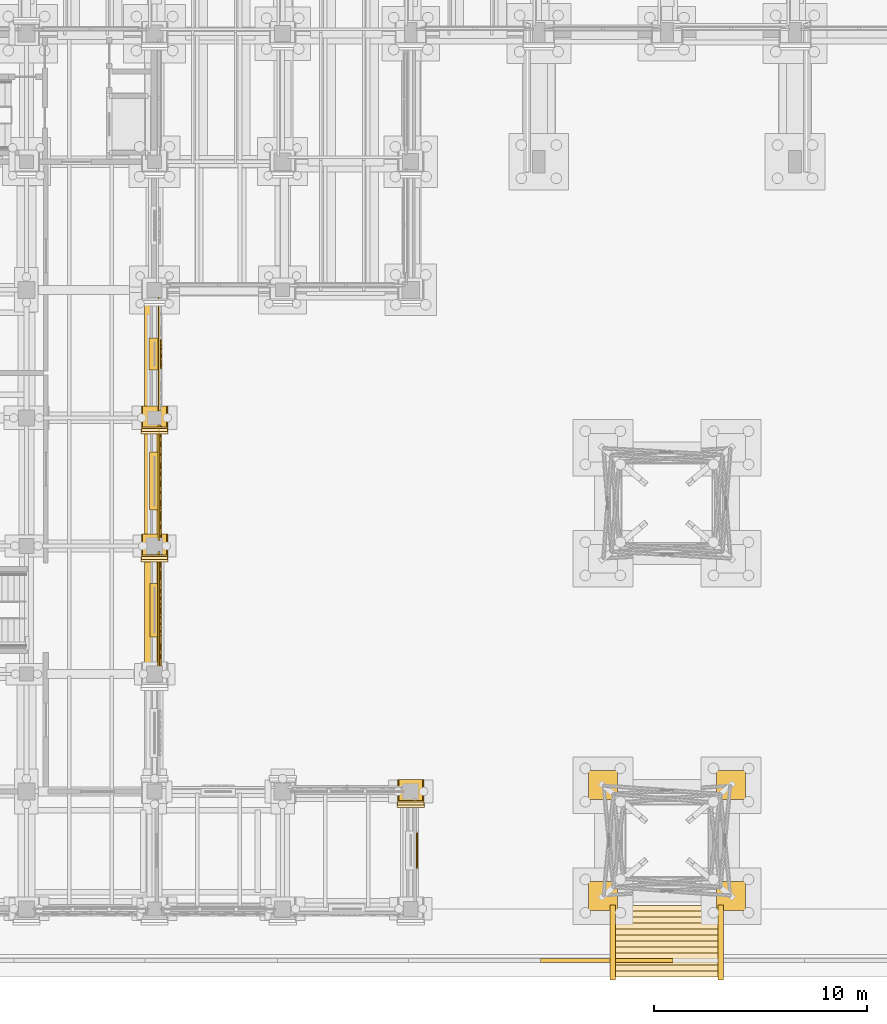
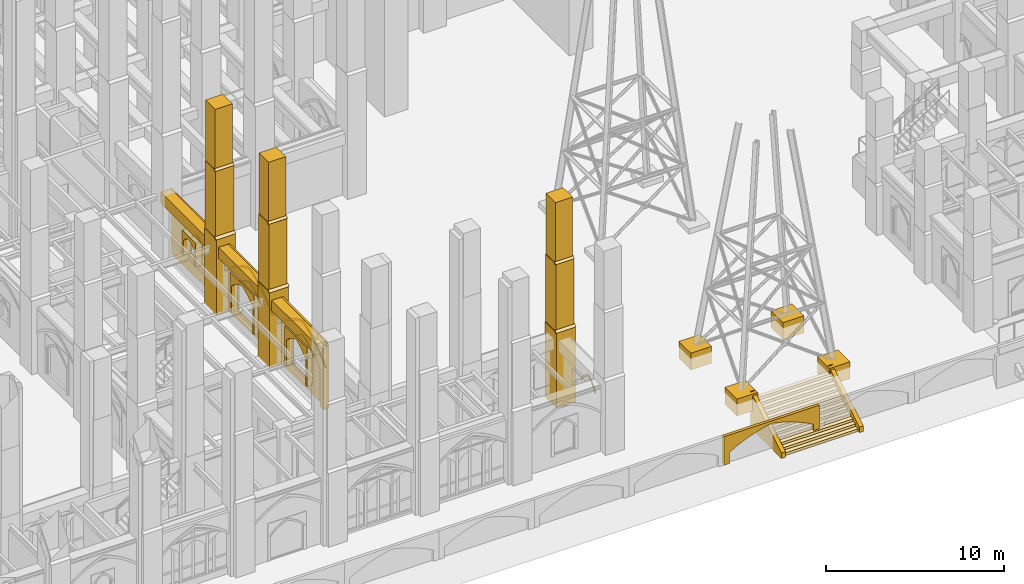
# One storey, part 101 of 135: 43 coverings.
"""IFC4 building model written with IfcOpenShell, lengths in metres."""

from ifc_helpers import new_model, si_unit, direction, frame, origin, origin_2d, place, context, subcontext, project, spatial, polyline, rectangle, outline, extrude, material, type_object, element, save


model = new_model("IFC4")

# Units and contexts
model_context = context("Model", 3, precision=1e-05, world=origin(), true_north=direction((0.0, 1.0)))
body_context = subcontext(model_context, "Body", "Model", "MODEL_VIEW")
ifc_project = project(units=[si_unit("LENGTHUNIT", "METRE"), si_unit("AREAUNIT", "SQUARE_METRE"), si_unit("VOLUMEUNIT", "CUBIC_METRE"), si_unit("PLANEANGLEUNIT", "RADIAN"), si_unit("MASSUNIT", "GRAM", prefix="KILO")], contexts=[model_context])

# Site, building, storey
site_placement = place(None, origin())
site = spatial("IfcSite", under=ifc_project, at=site_placement, CompositionType="ELEMENT")
building_placement = place(site_placement, origin())
building = spatial("IfcBuilding", under=site, at=building_placement, Name="Cumevento Cable Car Station", CompositionType="ELEMENT")
storey_placement = place(building_placement, origin())
storey = spatial("IfcBuildingStorey", under=building, at=storey_placement, Name="L01", CompositionType="ELEMENT", Elevation=0.0)

# Coverings
ifc_material = material(Name="Gnaisse Facoidal Stone Ashlar 85 MPa", Category="masonry")
covering_type = type_object("IfcCoveringType", Name="Gnaisse Ashlar Cladding CV-CL01", PredefinedType="CLADDING", material=ifc_material)
for number, where, z_axis, x_axis, name in (
    (1, (91.0, 4.60009765625, -0.7998046875), (0.0, 0.0, 1.0), (1.0, 0.0, 0.0), "Ropeway Pylon Stone Anchor Pedestal #1"),
    (2, (91.0, 9.800048828125, -0.7998046875), (0.0, 0.0, 1.0), (1.0, 0.0, 0.0), "Ropeway Pylon Stone Anchor Pedestal #2"),
    (3, (97.0, 4.60009765625, -0.7998046875), (0.0, 0.0, 1.0), (1.0, 0.0, 0.0), "Ropeway Pylon Stone Anchor Pedestal #5"),
    (4, (97.0, 9.800048828125, -0.7998046875), (0.0, 0.0, 1.0), (1.0, 0.0, 0.0), "Ropeway Pylon Stone Anchor Pedestal #6"),
):
    element("IfcCovering", number, at=place(storey_placement, frame(where, z_axis=z_axis, x_axis=x_axis)), inside=storey, type_object=covering_type, Name=name, PredefinedType="CLADDING", context=body_context, shape_type="SweptSolid", body=[
        extrude(rectangle(XDim=1.35009765625, YDim=1.35009765625, at=origin_2d()), origin(), (0.0, 0.0, 1.0), 1.159912109375),
    ])
covering_1_placement = place(storey_placement, frame((70.0, 20.909912109375, -0.06005859375), z_axis=(0.0, 0.0, 1.0), x_axis=(1.0, 0.0, 0.0)))
element("IfcCovering", 5, at=covering_1_placement, inside=storey, type_object=covering_type, Name="Stepped Gothic Stone Buttress Tier 1 bt:70.0:21.0", PredefinedType="CLADDING", context=body_context, shape_type="SweptSolid", body=[
    extrude(rectangle(XDim=1.239990234375, YDim=1.300048828125, at=origin_2d()), origin(), (0.0, 0.0, 1.0), 5.175537109375),
])
covering_2_placement = place(storey_placement, frame((69.360107421875, 20.239990234375, 5.095703125), z_axis=(0.0, -0.711135781079, 0.703054692658), x_axis=(1.0, 0.0, 0.0)))
element("IfcCovering", 6, at=covering_2_placement, inside=storey, type_object=covering_type, Name="Gothic Buttress Sloped Stone Weathering 1 bt:70.0:21.0", PredefinedType="CLADDING", context=body_context, shape_type="SweptSolid", body=[
    extrude(outline(polyline([(0.0, 0.0), (1.27978515625, 0.0), (1.27978515625, 0.24169083397703695), (0.0, 0.24169083397703695), (0.0, 0.0)])), origin(), (0.0, 0.0, -1.0), 0.090087890625),
])
covering_3_placement = place(storey_placement, frame((70.0, 20.969970703125, 4.84326171875), z_axis=(0.0, 0.0, 1.0), x_axis=(1.0, 0.0, 0.0)))
element("IfcCovering", 7, at=covering_3_placement, inside=storey, type_object=covering_type, Name="Stepped Gothic Stone Buttress Tier 2 bt:70.0:21.0", PredefinedType="CLADDING", context=body_context, shape_type="SweptSolid", body=[
    extrude(rectangle(XDim=1.179931640625, YDim=1.179931640625, at=origin_2d()), origin(), (0.0, 0.0, 1.0), 4.9033203125),
])
covering_4_placement = place(storey_placement, frame((69.389892578125, 20.360107421875, 9.726318359375), z_axis=(0.0, -0.714474823669, 0.699661151089), x_axis=(1.0, 0.0, 0.0)))
element("IfcCovering", 8, at=covering_4_placement, inside=storey, type_object=covering_type, Name="Gothic Buttress Sloped Stone Weathering 2 bt:70.0:21.0", PredefinedType="CLADDING", context=body_context, shape_type="SweptSolid", body=[
    extrude(outline(polyline([(0.0, 0.0), (1.22021484375, 0.0), (1.22021484375, 0.21424991728737655), (0.0, 0.21424991728737655), (0.0, 0.0)])), origin(), (0.0, 0.0, -1.0), 0.090087890625),
])
covering_5_placement = place(storey_placement, frame((70.0, 21.02001953125, 9.47412109375), z_axis=(0.0, 0.0, 1.0), x_axis=(1.0, 0.0, 0.0)))
element("IfcCovering", 9, at=covering_5_placement, inside=storey, type_object=covering_type, Name="Stepped Gothic Stone Buttress Tier 3 bt:70.0:21.0", PredefinedType="CLADDING", context=body_context, shape_type="SweptSolid", body=[
    extrude(rectangle(XDim=1.1201171875, YDim=1.080078125, at=origin_2d()), origin(), (0.0, 0.0, 1.0), 4.426025390625),
])
covering_6_placement = place(storey_placement, frame((70.0, 26.909912109375, -0.06005859375), z_axis=(0.0, 0.0, 1.0), x_axis=(1.0, 0.0, 0.0)))
element("IfcCovering", 10, at=covering_6_placement, inside=storey, type_object=covering_type, Name="Stepped Gothic Stone Buttress Tier 1 bt:70.0:27.0", PredefinedType="CLADDING", context=body_context, shape_type="SweptSolid", body=[
    extrude(rectangle(XDim=1.239990234375, YDim=1.300048828125, at=origin_2d()), origin(), (0.0, 0.0, 1.0), 5.175537109375),
])
covering_7_placement = place(storey_placement, frame((69.360107421875, 26.239990234375, 5.095703125), z_axis=(0.0, -0.711135781079, 0.703054692658), x_axis=(1.0, 0.0, 0.0)))
element("IfcCovering", 11, at=covering_7_placement, inside=storey, type_object=covering_type, Name="Gothic Buttress Sloped Stone Weathering 1 bt:70.0:27.0", PredefinedType="CLADDING", context=body_context, shape_type="SweptSolid", body=[
    extrude(outline(polyline([(0.0, 0.0), (1.27978515625, 0.0), (1.27978515625, 0.24169083397703695), (0.0, 0.24169083397703695), (0.0, 0.0)])), origin(), (0.0, 0.0, -1.0), 0.090087890625),
])
covering_8_placement = place(storey_placement, frame((70.0, 26.969970703125, 4.84326171875), z_axis=(0.0, 0.0, 1.0), x_axis=(1.0, 0.0, 0.0)))
element("IfcCovering", 12, at=covering_8_placement, inside=storey, type_object=covering_type, Name="Stepped Gothic Stone Buttress Tier 2 bt:70.0:27.0", PredefinedType="CLADDING", context=body_context, shape_type="SweptSolid", body=[
    extrude(rectangle(XDim=1.179931640625, YDim=1.179931640625, at=origin_2d()), origin(), (0.0, 0.0, 1.0), 4.9033203125),
])
covering_9_placement = place(storey_placement, frame((69.389892578125, 26.360107421875, 9.726318359375), z_axis=(0.0, -0.714474823669, 0.699661151089), x_axis=(1.0, 0.0, 0.0)))
element("IfcCovering", 13, at=covering_9_placement, inside=storey, type_object=covering_type, Name="Gothic Buttress Sloped Stone Weathering 2 bt:70.0:27.0", PredefinedType="CLADDING", context=body_context, shape_type="SweptSolid", body=[
    extrude(outline(polyline([(0.0, 0.0), (1.22021484375, 0.0), (1.22021484375, 0.21424991728737655), (0.0, 0.21424991728737655), (0.0, 0.0)])), origin(), (0.0, 0.0, -1.0), 0.090087890625),
])
covering_10_placement = place(storey_placement, frame((70.0, 27.02001953125, 9.47412109375), z_axis=(0.0, 0.0, 1.0), x_axis=(1.0, 0.0, 0.0)))
element("IfcCovering", 14, at=covering_10_placement, inside=storey, type_object=covering_type, Name="Stepped Gothic Stone Buttress Tier 3 bt:70.0:27.0", PredefinedType="CLADDING", context=body_context, shape_type="SweptSolid", body=[
    extrude(rectangle(XDim=1.1201171875, YDim=1.080078125, at=origin_2d()), origin(), (0.0, 0.0, 1.0), 4.426025390625),
])
covering_11_placement = place(storey_placement, frame((82.0, 9.409912109375, -0.06005859375), z_axis=(0.0, 0.0, 1.0), x_axis=(1.0, 0.0, 0.0)))
element("IfcCovering", 15, at=covering_11_placement, inside=storey, type_object=covering_type, Name="Stepped Gothic Stone Buttress Tier 1 bt:82.0:9.5", PredefinedType="CLADDING", context=body_context, shape_type="SweptSolid", body=[
    extrude(rectangle(XDim=1.239990234375, YDim=1.300048828125, at=origin_2d()), origin(), (0.0, 0.0, 1.0), 5.175537109375),
])
covering_12_placement = place(storey_placement, frame((81.360107421875, 8.739990234375, 5.095703125), z_axis=(0.0, -0.711135781079, 0.703054692658), x_axis=(1.0, 0.0, 0.0)))
element("IfcCovering", 16, at=covering_12_placement, inside=storey, type_object=covering_type, Name="Gothic Buttress Sloped Stone Weathering 1 bt:82.0:9.5", PredefinedType="CLADDING", context=body_context, shape_type="SweptSolid", body=[
    extrude(outline(polyline([(0.0, 0.0), (1.27978515625, 0.0), (1.27978515625, 0.24169083397703695), (0.0, 0.24169083397703695), (0.0, 0.0)])), origin(), (0.0, 0.0, -1.0), 0.090087890625),
])
covering_13_placement = place(storey_placement, frame((82.0, 9.469970703125, 4.84326171875), z_axis=(0.0, 0.0, 1.0), x_axis=(1.0, 0.0, 0.0)))
element("IfcCovering", 17, at=covering_13_placement, inside=storey, type_object=covering_type, Name="Stepped Gothic Stone Buttress Tier 2 bt:82.0:9.5", PredefinedType="CLADDING", context=body_context, shape_type="SweptSolid", body=[
    extrude(rectangle(XDim=1.179931640625, YDim=1.179931640625, at=origin_2d()), origin(), (0.0, 0.0, 1.0), 4.9033203125),
])
covering_14_placement = place(storey_placement, frame((81.389892578125, 8.860107421875, 9.726318359375), z_axis=(0.0, -0.714474823669, 0.699661151089), x_axis=(1.0, 0.0, 0.0)))
element("IfcCovering", 18, at=covering_14_placement, inside=storey, type_object=covering_type, Name="Gothic Buttress Sloped Stone Weathering 2 bt:82.0:9.5", PredefinedType="CLADDING", context=body_context, shape_type="SweptSolid", body=[
    extrude(outline(polyline([(0.0, 0.0), (1.22021484375, 0.0), (1.22021484375, 0.21424991728737655), (0.0, 0.21424991728737655), (0.0, 0.0)])), origin(), (0.0, 0.0, -1.0), 0.090087890625),
])
covering_15_placement = place(storey_placement, frame((82.0, 9.52001953125, 9.47412109375), z_axis=(0.0, 0.0, 1.0), x_axis=(1.0, 0.0, 0.0)))
element("IfcCovering", 19, at=covering_15_placement, inside=storey, type_object=covering_type, Name="Stepped Gothic Stone Buttress Tier 3 bt:82.0:9.5", PredefinedType="CLADDING", context=body_context, shape_type="SweptSolid", body=[
    extrude(rectangle(XDim=1.1201171875, YDim=1.080078125, at=origin_2d()), origin(), (0.0, 0.0, 1.0), 4.426025390625),
])
covering_16_placement = place(storey_placement, frame((69.85009765625, 17.987548828125, 3.784912109375), z_axis=(0.0, 0.0, 1.0), x_axis=(0.0, -1.0, 0.0)))
element("IfcCovering", 20, at=covering_16_placement, inside=storey, type_object=covering_type, Name="Gothic Stone Spandrel Stringcourse sc:0036", PredefinedType="CLADDING", context=body_context, shape_type="SweptSolid", body=[
    extrude(rectangle(XDim=5.465087890625, YDim=0.659912109375, at=origin_2d()), origin(), (0.0, 0.0, 1.0), 0.7470703125),
])
covering_17_placement = place(storey_placement, frame((70.20751953125, 17.987548828125, 4.402099609375), z_axis=(0.0, 0.0, 1.0), x_axis=(0.0, -1.0, 0.0)))
element("IfcCovering", 21, at=covering_17_placement, inside=storey, type_object=covering_type, Name="Gothic Cornice Dripstone Lip sc:0036", PredefinedType="CLADDING", context=body_context, shape_type="SweptSolid", body=[
    extrude(rectangle(XDim=5.5048828125, YDim=0.114990234375, at=origin_2d()), origin(), (0.0, 0.0, 1.0), 0.1298828125),
])
covering_18_placement = place(storey_placement, frame((69.85009765625, 24.03759765625, 3.784912109375), z_axis=(0.0, 0.0, 1.0), x_axis=(0.0, -1.0, 0.0)))
element("IfcCovering", 22, at=covering_18_placement, inside=storey, type_object=covering_type, Name="Gothic Stone Spandrel Stringcourse sc:0037", PredefinedType="CLADDING", context=body_context, shape_type="SweptSolid", body=[
    extrude(rectangle(XDim=5.514892578125, YDim=0.659912109375, at=origin_2d()), origin(), (0.0, 0.0, 1.0), 0.7470703125),
])
covering_19_placement = place(storey_placement, frame((70.20751953125, 24.03759765625, 4.402099609375), z_axis=(0.0, 0.0, 1.0), x_axis=(0.0, -1.0, 0.0)))
element("IfcCovering", 23, at=covering_19_placement, inside=storey, type_object=covering_type, Name="Gothic Cornice Dripstone Lip sc:0037", PredefinedType="CLADDING", context=body_context, shape_type="SweptSolid", body=[
    extrude(rectangle(XDim=5.554931640625, YDim=0.114990234375, at=origin_2d()), origin(), (0.0, 0.0, 1.0), 0.1298828125),
])
covering_20_placement = place(storey_placement, frame((69.85009765625, 29.987548828125, 3.64306640625), z_axis=(0.0, 0.0, 1.0), x_axis=(0.0, -1.0, 0.0)))
element("IfcCovering", 24, at=covering_20_placement, inside=storey, type_object=covering_type, Name="Gothic Stone Spandrel Stringcourse sc:0038", PredefinedType="CLADDING", context=body_context, shape_type="SweptSolid", body=[
    extrude(rectangle(XDim=5.56494140625, YDim=0.659912109375, at=origin_2d()), origin(), (0.0, 0.0, 1.0), 0.7470703125),
])
covering_21_placement = place(storey_placement, frame((70.20751953125, 29.987548828125, 4.260009765625), z_axis=(0.0, 0.0, 1.0), x_axis=(0.0, -1.0, 0.0)))
element("IfcCovering", 25, at=covering_21_placement, inside=storey, type_object=covering_type, Name="Gothic Cornice Dripstone Lip sc:0038", PredefinedType="CLADDING", context=body_context, shape_type="SweptSolid", body=[
    extrude(rectangle(XDim=5.60498046875, YDim=0.114990234375, at=origin_2d()), origin(), (0.0, 0.0, 1.0), 0.1298828125),
])
covering_22_placement = place(storey_placement, frame((82.0, 7.6025390625, 2.3701171875), z_axis=(0.0, 0.0, 1.0), x_axis=(0.0, -1.0, 0.0)))
element("IfcCovering", 26, at=covering_22_placement, inside=storey, type_object=covering_type, Name="Gothic Pointed Archivolt Hood Moulding op_ogival:0121:1", PredefinedType="CLADDING", context=body_context, shape_type="SweptSolid", body=[
    extrude(outline(polyline([(0.139892578125, 0.0), (0.212646484375, 0.1240234375), (0.29736328125, 0.240234375), (0.392822265625, 0.34765625), (0.49853515625, 0.4453125), (0.613037109375, 0.531982421875), (0.735595703125, 0.607177734375), (0.864990234375, 0.669921875), (0.994384765625, 0.607177734375), (1.116943359375, 0.531982421875), (1.2314453125, 0.4453125), (1.337158203125, 0.34765625), (1.4326171875, 0.240234375), (1.517333984375, 0.1240234375), (1.590087890625, 0.0), (1.68896484375, 0.0), (1.608642578125, 0.146240234375), (1.51416015625, 0.28369140625), (1.40625, 0.410888671875), (1.2861328125, 0.526611328125), (1.155029296875, 0.629638671875), (1.01416015625, 0.718994140625), (0.864990234375, 0.793701171875), (0.7158203125, 0.718994140625), (0.574951171875, 0.629638671875), (0.44384765625, 0.526611328125), (0.32373046875, 0.410888671875), (0.2158203125, 0.28369140625), (0.121337890625, 0.146240234375), (0.041015625, 0.0), (0.139892578125, 0.0)])), frame((0.0, 0.324951171875, 0.0), z_axis=(0.0, -1.0, 0.0), x_axis=(1.0, 0.0, 0.0)), (0.0, 0.0, 1.0), 0.06689453125),
])
covering_23_placement = place(storey_placement, frame((70.0, 20.60009765625, 0.0), z_axis=(0.0, 0.0, 1.0), x_axis=(0.0, -1.0, 0.0)))
element("IfcCovering", 27, at=covering_23_placement, inside=storey, type_object=covering_type, Name="Exterior Gnaisse Stone Wall Ashlar #129", PredefinedType="CLADDING", context=body_context, shape_type="SweptSolid", body=[
    extrude(outline(polyline([(-0.0400390625, -0.02001953125), (5.264892578125, -0.02001953125), (5.264892578125, 3.864990234375), (-0.0400390625, 3.864990234375), (-0.0400390625, -0.02001953125)]), holes=[polyline([(1.547607421875, 0.7099609375), (3.677490234375, 0.7099609375), (3.677490234375, 3.090087890625), (1.547607421875, 3.090087890625), (1.547607421875, 0.7099609375)])]), frame((0.0, 0.22998046875, 0.0), z_axis=(0.0, -1.0, 0.0), x_axis=(1.0, 0.0, 0.0)), (0.0, 0.0, 1.0), 0.0849609375),
])
covering_24_placement = place(storey_placement, frame((70.0, 19.202392578125, 0.64990234375), z_axis=(0.0, 0.0, 1.0), x_axis=(0.0, -1.0, 0.0)))
element("IfcCovering", 28, at=covering_24_placement, inside=storey, type_object=covering_type, Name="Gothic Ogival Pointed-Arch Stone Spandrel op_ogival:0129:1", PredefinedType="CLADDING", context=body_context, shape_type="SweptSolid", body=[
    extrude(outline(polyline([(-0.0400390625, 0.0), (-0.0400390625, 2.669921875), (2.469970703125, 2.669921875), (2.469970703125, 0.0), (2.2900390625, 0.0), (2.2900390625, 1.778076171875), (2.162109375, 1.913818359375), (2.0244140625, 2.039306640625), (1.87744140625, 2.15380859375), (1.721923828125, 2.2568359375), (1.55908203125, 2.347412109375), (1.3896484375, 2.42529296875), (1.215087890625, 2.489990234375), (1.040283203125, 2.42529296875), (0.870849609375, 2.347412109375), (0.7080078125, 2.2568359375), (0.552490234375, 2.15380859375), (0.405517578125, 2.039306640625), (0.267822265625, 1.913818359375), (0.139892578125, 1.778076171875), (0.139892578125, 0.0), (-0.0400390625, 0.0)])), frame((0.0, 0.26806640625, 0.0), z_axis=(0.0, -1.0, 0.0), x_axis=(1.0, 0.0, 0.0)), (0.0, 0.0, 1.0), 0.489990234375),
])
covering_25_placement = place(storey_placement, frame((70.0, 19.202392578125, 2.427978515625), z_axis=(0.0, 0.0, 1.0), x_axis=(0.0, -1.0, 0.0)))
element("IfcCovering", 29, at=covering_25_placement, inside=storey, type_object=covering_type, Name="Gothic Pointed Archivolt Hood Moulding op_ogival:0129:1", PredefinedType="CLADDING", context=body_context, shape_type="SweptSolid", body=[
    extrude(outline(polyline([(0.139892578125, 0.0), (0.267822265625, 0.1357421875), (0.405517578125, 0.26123046875), (0.552490234375, 0.375732421875), (0.7080078125, 0.478759765625), (0.870849609375, 0.5693359375), (1.040283203125, 0.647216796875), (1.215087890625, 0.7119140625), (1.3896484375, 0.647216796875), (1.55908203125, 0.5693359375), (1.721923828125, 0.478759765625), (1.87744140625, 0.375732421875), (2.0244140625, 0.26123046875), (2.162109375, 0.1357421875), (2.2900390625, 0.0), (2.388916015625, 0.0), (2.253173828125, 0.158447265625), (2.105224609375, 0.305419921875), (1.945556640625, 0.439697265625), (1.775634765625, 0.560791015625), (1.596435546875, 0.66748046875), (1.4091796875, 0.75927734375), (1.215087890625, 0.835693359375), (1.020751953125, 0.75927734375), (0.83349609375, 0.66748046875), (0.654296875, 0.560791015625), (0.484375, 0.439697265625), (0.32470703125, 0.305419921875), (0.1767578125, 0.158447265625), (0.041015625, 0.0), (0.139892578125, 0.0)])), frame((0.0, 0.31005859375, 0.0), z_axis=(0.0, -1.0, 0.0), x_axis=(1.0, 0.0, 0.0)), (0.0, 0.0, 1.0), 0.06689453125),
])
covering_26_placement = place(storey_placement, frame((70.0, 26.675048828125, 0.0), z_axis=(0.0, 0.0, 1.0), x_axis=(0.0, -1.0, 0.0)))
element("IfcCovering", 30, at=covering_26_placement, inside=storey, type_object=covering_type, Name="Exterior Gnaisse Stone Wall Ashlar #131", PredefinedType="CLADDING", context=body_context, shape_type="SweptSolid", body=[
    extrude(outline(polyline([(-0.0400390625, -0.02001953125), (5.31494140625, -0.02001953125), (5.31494140625, 3.864990234375), (-0.0400390625, 3.864990234375), (-0.0400390625, -0.02001953125)]), holes=[polyline([(1.472412109375, 0.659912109375), (3.802490234375, 0.659912109375), (3.802490234375, 3.090087890625), (1.472412109375, 3.090087890625), (1.472412109375, 0.659912109375)])]), frame((0.0, 0.2451171875, 0.0), z_axis=(0.0, -1.0, 0.0), x_axis=(1.0, 0.0, 0.0)), (0.0, 0.0, 1.0), 0.0849609375),
])
covering_27_placement = place(storey_placement, frame((70.0, 25.3525390625, 0.60009765625), z_axis=(0.0, 0.0, 1.0), x_axis=(0.0, -1.0, 0.0)))
element("IfcCovering", 31, at=covering_27_placement, inside=storey, type_object=covering_type, Name="Gothic Ogival Pointed-Arch Stone Spandrel op_ogival:0131:1", PredefinedType="CLADDING", context=body_context, shape_type="SweptSolid", body=[
    extrude(outline(polyline([(-0.0400390625, 0.0), (-0.0400390625, 2.719970703125), (2.669921875, 2.719970703125), (2.669921875, 0.0), (2.489990234375, 0.0), (2.489990234375, 1.820068359375), (2.3466796875, 1.9580078125), (2.193603515625, 2.08544921875), (2.031982421875, 2.201171875), (1.8623046875, 2.30517578125), (1.685791015625, 2.396728515625), (1.5029296875, 2.47509765625), (1.31494140625, 2.5400390625), (1.126953125, 2.47509765625), (0.944091796875, 2.396728515625), (0.767578125, 2.30517578125), (0.597900390625, 2.201171875), (0.436279296875, 2.08544921875), (0.283203125, 1.9580078125), (0.139892578125, 1.820068359375), (0.139892578125, 0.0), (-0.0400390625, 0.0)])), frame((0.0, 0.282958984375, 0.0), z_axis=(0.0, -1.0, 0.0), x_axis=(1.0, 0.0, 0.0)), (0.0, 0.0, 1.0), 0.52001953125),
])
covering_28_placement = place(storey_placement, frame((70.0, 25.3525390625, 2.419921875), z_axis=(0.0, 0.0, 1.0), x_axis=(0.0, -1.0, 0.0)))
element("IfcCovering", 32, at=covering_28_placement, inside=storey, type_object=covering_type, Name="Gothic Pointed Archivolt Hood Moulding op_ogival:0131:1", PredefinedType="CLADDING", context=body_context, shape_type="SweptSolid", body=[
    extrude(outline(polyline([(0.139892578125, 0.0), (0.283203125, 0.137939453125), (0.436279296875, 0.265380859375), (0.597900390625, 0.381103515625), (0.767578125, 0.485107421875), (0.944091796875, 0.57666015625), (1.126953125, 0.655029296875), (1.31494140625, 0.719970703125), (1.5029296875, 0.655029296875), (1.685791015625, 0.57666015625), (1.8623046875, 0.485107421875), (2.031982421875, 0.381103515625), (2.193603515625, 0.265380859375), (2.3466796875, 0.137939453125), (2.489990234375, 0.0), (2.589111328125, 0.0), (2.4375, 0.160888671875), (2.274169921875, 0.3095703125), (2.099853515625, 0.4453125), (1.915771484375, 0.5673828125), (1.72265625, 0.6748046875), (1.52197265625, 0.76708984375), (1.31494140625, 0.84375), (1.10791015625, 0.76708984375), (0.9072265625, 0.6748046875), (0.714111328125, 0.5673828125), (0.530029296875, 0.4453125), (0.355712890625, 0.3095703125), (0.1923828125, 0.160888671875), (0.041015625, 0.0), (0.139892578125, 0.0)])), frame((0.0, 0.324951171875, 0.0), z_axis=(0.0, -1.0, 0.0), x_axis=(1.0, 0.0, 0.0)), (0.0, 0.0, 1.0), 0.06689453125),
])
covering_29_placement = place(storey_placement, frame((70.0, 32.64990234375, 0.0), z_axis=(0.0, 0.0, 1.0), x_axis=(0.0, -1.0, 0.0)))
element("IfcCovering", 33, at=covering_29_placement, inside=storey, type_object=covering_type, Name="Exterior Gnaisse Stone Wall Ashlar #133", PredefinedType="CLADDING", context=body_context, shape_type="SweptSolid", body=[
    extrude(outline(polyline([(-0.0400390625, -0.02001953125), (5.364990234375, -0.02001953125), (5.364990234375, 3.722900390625), (-0.0400390625, 3.722900390625), (-0.0400390625, -0.02001953125)]), holes=[polyline([(2.097412109375, 1.360107421875), (3.2275390625, 1.360107421875), (3.2275390625, 2.68994140625), (2.097412109375, 2.68994140625), (2.097412109375, 1.360107421875)])]), frame((0.0, 0.260009765625, 0.0), z_axis=(0.0, -1.0, 0.0), x_axis=(1.0, 0.0, 0.0)), (0.0, 0.0, 1.0), 0.0849609375),
])
covering_30_placement = place(storey_placement, frame((70.0, 30.702392578125, 1.300048828125), z_axis=(0.0, 0.0, 1.0), x_axis=(0.0, -1.0, 0.0)))
element("IfcCovering", 34, at=covering_30_placement, inside=storey, type_object=covering_type, Name="Gothic Ogival Pointed-Arch Stone Spandrel op_ogival:0133:1", PredefinedType="CLADDING", context=body_context, shape_type="SweptSolid", body=[
    extrude(outline(polyline([(-0.0400390625, 0.0), (-0.0400390625, 1.6201171875), (1.469970703125, 1.6201171875), (1.469970703125, 0.0), (1.2900390625, 0.0), (1.2900390625, 1.02197265625), (1.22412109375, 1.10107421875), (1.15185546875, 1.174560546875), (1.073974609375, 1.24169921875), (0.990478515625, 1.30224609375), (0.902587890625, 1.355712890625), (0.810546875, 1.401611328125), (0.715087890625, 1.43994140625), (0.619384765625, 1.401611328125), (0.52734375, 1.355712890625), (0.439453125, 1.30224609375), (0.35595703125, 1.24169921875), (0.278076171875, 1.174560546875), (0.205810546875, 1.10107421875), (0.139892578125, 1.02197265625), (0.139892578125, 0.0), (-0.0400390625, 0.0)])), frame((0.0, 0.298095703125, 0.0), z_axis=(0.0, -1.0, 0.0), x_axis=(1.0, 0.0, 0.0)), (0.0, 0.0, 1.0), 0.550048828125),
])
covering_31_placement = place(storey_placement, frame((70.0, 30.702392578125, 2.322021484375), z_axis=(0.0, 0.0, 1.0), x_axis=(0.0, -1.0, 0.0)))
element("IfcCovering", 35, at=covering_31_placement, inside=storey, type_object=covering_type, Name="Gothic Pointed Archivolt Hood Moulding op_ogival:0133:1", PredefinedType="CLADDING", context=body_context, shape_type="SweptSolid", body=[
    extrude(outline(polyline([(0.139892578125, 0.0), (0.205810546875, 0.0791015625), (0.278076171875, 0.152587890625), (0.35595703125, 0.2197265625), (0.439453125, 0.2802734375), (0.52734375, 0.333740234375), (0.619384765625, 0.379638671875), (0.715087890625, 0.41796875), (0.810546875, 0.379638671875), (0.902587890625, 0.333740234375), (0.990478515625, 0.2802734375), (1.073974609375, 0.2197265625), (1.15185546875, 0.152587890625), (1.22412109375, 0.0791015625), (1.2900390625, 0.0), (1.388916015625, 0.0), (1.3154296875, 0.1015625), (1.23291015625, 0.1962890625), (1.142578125, 0.283447265625), (1.044677734375, 0.362060546875), (0.940185546875, 0.431640625), (0.830078125, 0.49169921875), (0.715087890625, 0.541748046875), (0.599853515625, 0.49169921875), (0.48974609375, 0.431640625), (0.38525390625, 0.362060546875), (0.287353515625, 0.283447265625), (0.197021484375, 0.1962890625), (0.114501953125, 0.1015625), (0.041015625, 0.0), (0.139892578125, 0.0)])), frame((0.0, 0.340087890625, 0.0), z_axis=(0.0, -1.0, 0.0), x_axis=(1.0, 0.0, 0.0)), (0.0, 0.0, 1.0), 0.06689453125),
])
covering_32_placement = place(storey_placement, frame((70.0, 20.64990234375, 0.0), z_axis=(0.0, 0.0, 1.0), x_axis=(0.0, -1.0, 0.0)))
element("IfcCovering", 36, at=covering_32_placement, inside=storey, type_object=covering_type, Name="Gothic Ogival Pointed-Arch Stone Spandrel cloister_arcade:E:15", PredefinedType="CLADDING", context=body_context, shape_type="SweptSolid", body=[
    extrude(outline(polyline([(-0.25, 0.0), (-0.25, 4.35009765625), (5.550048828125, 4.35009765625), (5.550048828125, 0.0), (5.1201171875, 0.0), (5.1201171875, 2.550048828125), (4.85791015625, 2.80615234375), (4.580078125, 3.044921875), (4.287841796875, 3.265869140625), (3.98193359375, 3.467529296875), (3.6640625, 3.649658203125), (3.335205078125, 3.81103515625), (2.996826171875, 3.951416015625), (2.64990234375, 4.070068359375), (2.30322265625, 3.951416015625), (1.96484375, 3.81103515625), (1.635986328125, 3.649658203125), (1.318115234375, 3.467529296875), (1.01220703125, 3.265869140625), (0.719970703125, 3.044921875), (0.442138671875, 2.80615234375), (0.179931640625, 2.550048828125), (0.179931640625, 0.0), (-0.25, 0.0)])), frame((0.0, 0.260009765625, 0.0), z_axis=(0.0, -1.0, 0.0), x_axis=(1.0, 0.0, 0.0)), (0.0, 0.0, 1.0), 0.340087890625),
])
covering_33_placement = place(storey_placement, frame((70.0, 20.64990234375, 2.550048828125), z_axis=(0.0, 0.0, 1.0), x_axis=(0.0, -1.0, 0.0)))
element("IfcCovering", 37, at=covering_33_placement, inside=storey, type_object=covering_type, Name="Gothic Pointed Archivolt Hood Moulding cloister_arcade:E:15", PredefinedType="CLADDING", context=body_context, shape_type="SweptSolid", body=[
    extrude(outline(polyline([(0.179931640625, 0.0), (0.442138671875, 0.256103515625), (0.719970703125, 0.494873046875), (1.01220703125, 0.7158203125), (1.318115234375, 0.91748046875), (1.635986328125, 1.099609375), (1.96484375, 1.260986328125), (2.30322265625, 1.4013671875), (2.64990234375, 1.52001953125), (2.996826171875, 1.4013671875), (3.335205078125, 1.260986328125), (3.6640625, 1.099609375), (3.98193359375, 0.91748046875), (4.287841796875, 0.7158203125), (4.580078125, 0.494873046875), (4.85791015625, 0.256103515625), (5.1201171875, 0.0), (5.260009765625, 0.0), (4.988037109375, 0.284423828125), (4.697998046875, 0.55029296875), (4.390625, 0.796142578125), (4.06787109375, 1.021484375), (3.73095703125, 1.224609375), (3.38134765625, 1.4052734375), (3.0205078125, 1.562255859375), (2.64990234375, 1.695068359375), (2.279541015625, 1.562255859375), (1.918701171875, 1.4052734375), (1.569091796875, 1.224609375), (1.232177734375, 1.021484375), (0.909423828125, 0.796142578125), (0.60205078125, 0.55029296875), (0.31201171875, 0.284423828125), (0.0400390625, 0.0), (0.179931640625, 0.0)])), frame((0.0, 0.302001953125, 0.0), z_axis=(0.0, -1.0, 0.0), x_axis=(1.0, 0.0, 0.0)), (0.0, 0.0, 1.0), 0.06689453125),
])
covering_34_placement = place(storey_placement, frame((70.0, 26.64990234375, 0.0), z_axis=(0.0, 0.0, 1.0), x_axis=(0.0, -1.0, 0.0)))
element("IfcCovering", 38, at=covering_34_placement, inside=storey, type_object=covering_type, Name="Gothic Ogival Pointed-Arch Stone Spandrel cloister_arcade:E:21", PredefinedType="CLADDING", context=body_context, shape_type="SweptSolid", body=[
    extrude(outline(polyline([(-0.25, 0.0), (-0.25, 4.35009765625), (5.550048828125, 4.35009765625), (5.550048828125, 0.0), (5.1201171875, 0.0), (5.1201171875, 2.550048828125), (4.85791015625, 2.80615234375), (4.580078125, 3.044921875), (4.287841796875, 3.265869140625), (3.98193359375, 3.467529296875), (3.6640625, 3.649658203125), (3.335205078125, 3.81103515625), (2.996826171875, 3.951416015625), (2.64990234375, 4.070068359375), (2.30322265625, 3.951416015625), (1.96484375, 3.81103515625), (1.635986328125, 3.649658203125), (1.318115234375, 3.467529296875), (1.01220703125, 3.265869140625), (0.719970703125, 3.044921875), (0.442138671875, 2.80615234375), (0.179931640625, 2.550048828125), (0.179931640625, 0.0), (-0.25, 0.0)])), frame((0.0, 0.260009765625, 0.0), z_axis=(0.0, -1.0, 0.0), x_axis=(1.0, 0.0, 0.0)), (0.0, 0.0, 1.0), 0.340087890625),
])
covering_35_placement = place(storey_placement, frame((70.0, 26.64990234375, 2.550048828125), z_axis=(0.0, 0.0, 1.0), x_axis=(0.0, -1.0, 0.0)))
element("IfcCovering", 39, at=covering_35_placement, inside=storey, type_object=covering_type, Name="Gothic Pointed Archivolt Hood Moulding cloister_arcade:E:21", PredefinedType="CLADDING", context=body_context, shape_type="SweptSolid", body=[
    extrude(outline(polyline([(0.179931640625, 0.0), (0.442138671875, 0.256103515625), (0.719970703125, 0.494873046875), (1.01220703125, 0.7158203125), (1.318115234375, 0.91748046875), (1.635986328125, 1.099609375), (1.96484375, 1.260986328125), (2.30322265625, 1.4013671875), (2.64990234375, 1.52001953125), (2.996826171875, 1.4013671875), (3.335205078125, 1.260986328125), (3.6640625, 1.099609375), (3.98193359375, 0.91748046875), (4.287841796875, 0.7158203125), (4.580078125, 0.494873046875), (4.85791015625, 0.256103515625), (5.1201171875, 0.0), (5.260009765625, 0.0), (4.988037109375, 0.284423828125), (4.697998046875, 0.55029296875), (4.390625, 0.796142578125), (4.06787109375, 1.021484375), (3.73095703125, 1.224609375), (3.38134765625, 1.4052734375), (3.0205078125, 1.562255859375), (2.64990234375, 1.695068359375), (2.279541015625, 1.562255859375), (1.918701171875, 1.4052734375), (1.569091796875, 1.224609375), (1.232177734375, 1.021484375), (0.909423828125, 0.796142578125), (0.60205078125, 0.55029296875), (0.31201171875, 0.284423828125), (0.0400390625, 0.0), (0.179931640625, 0.0)])), frame((0.0, 0.302001953125, 0.0), z_axis=(0.0, -1.0, 0.0), x_axis=(1.0, 0.0, 0.0)), (0.0, 0.0, 1.0), 0.06689453125),
])
covering_36_placement = place(storey_placement, frame((94.26123046875, 1.64990234375, -1.919921875), z_axis=(0.0, 0.0, 1.0), x_axis=(-1.0, 0.0, 0.0)))
element("IfcCovering", 40, at=covering_36_placement, inside=storey, type_object=covering_type, Name="Gothic Ogival Pointed-Arch Stone Spandrel cumevento_plinth:plinth_arch:S:14", PredefinedType="CLADDING", context=body_context, shape_type="SweptSolid", body=[
    extrude(outline(polyline([(-0.02001953125, 0.0), (-0.02001953125, 1.9599609375), (6.194091796875, 1.9599609375), (6.194091796875, 0.0), (5.81396484375, 0.0), (5.81396484375, 0.77001953125), (5.3857421875, 1.00390625), (4.945068359375, 1.213623046875), (4.493408203125, 1.3984375), (4.0322265625, 1.558349609375), (3.56298828125, 1.692138671875), (3.087158203125, 1.800048828125), (2.611083984375, 1.692138671875), (2.141845703125, 1.558349609375), (1.6806640625, 1.3984375), (1.22900390625, 1.213623046875), (0.788330078125, 1.00390625), (0.360107421875, 0.77001953125), (0.360107421875, 0.0), (-0.02001953125, 0.0)])), frame((0.0, 0.14990234375, 0.0), z_axis=(0.0, -1.0, 0.0), x_axis=(1.0, 0.0, 0.0)), (0.0, 0.0, 1.0), 0.179931640625),
])
covering_37_placement = place(storey_placement, frame((94.0, 0.820068359375, -2.10009765625), z_axis=(0.0, 0.0, 1.0), x_axis=(0.0, 1.0, 0.0)))
element("IfcCovering", 41, at=covering_37_placement, inside=storey, type_object=covering_type, Name="Stepped Gnaisse Plinth Stairway cumevento_plinth:s_step_c", PredefinedType="CLADDING", context=body_context, shape_type="SweptSolid", body=[
    extrude(outline(polyline([(0.0, 0.0), (0.0, 0.17578125), (0.280029296875, 0.17578125), (0.280029296875, 0.3515625), (0.56005859375, 0.3515625), (0.56005859375, 0.527587890625), (0.840087890625, 0.527587890625), (0.840087890625, 0.703369140625), (1.1201171875, 0.703369140625), (1.1201171875, 0.879150390625), (1.39990234375, 0.879150390625), (1.39990234375, 1.054931640625), (1.679931640625, 1.054931640625), (1.679931640625, 1.230712890625), (1.9599609375, 1.230712890625), (1.9599609375, 1.40673828125), (2.239990234375, 1.40673828125), (2.239990234375, 1.58251953125), (2.52001953125, 1.58251953125), (2.52001953125, 1.75830078125), (2.800048828125, 1.75830078125), (2.800048828125, 1.93408203125), (3.080078125, 1.93408203125), (3.080078125, 2.110107421875), (3.330078125, 2.110107421875), (3.330078125, 0.0), (0.0, 0.0)])), frame((0.0, 2.39990234375, 0.0), z_axis=(0.0, -1.0, 0.0), x_axis=(1.0, 0.0, 0.0)), (0.0, 0.0, 1.0), 4.800048828125),
])
for number, where, z_axis, x_axis, name in (
    (42, (96.530029296875, 0.820068359375, -2.10009765625), (0.0, 0.0, 1.0), (0.0, 1.0, 0.0), "Stone Stair Cheek Parapet cumevento_plinth:s_step_c R"),
    (43, (91.469970703125, 0.820068359375, -2.10009765625), (0.0, 0.0, 1.0), (0.0, 1.0, 0.0), "Stone Stair Cheek Parapet cumevento_plinth:s_step_c L"),
):
    element("IfcCovering", number, at=place(storey_placement, frame(where, z_axis=z_axis, x_axis=x_axis)), inside=storey, type_object=covering_type, Name=name, PredefinedType="CLADDING", context=body_context, shape_type="SweptSolid", body=[
        extrude(outline(polyline([(-0.14990234375, 0.0), (3.360107421875, 0.0), (3.360107421875, 2.489990234375), (-0.14990234375, 0.3798828125), (-0.14990234375, 0.0)])), frame((0.0, 0.1298828125, 0.0), z_axis=(0.0, -1.0, 0.0), x_axis=(1.0, 0.0, 0.0)), (0.0, 0.0, 1.0), 0.260009765625),
    ])

save(model, "model.ifc")
